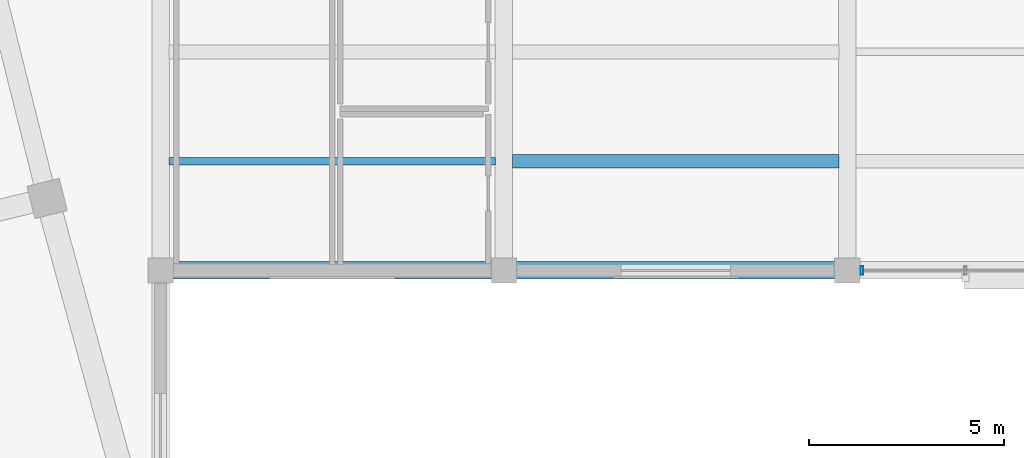
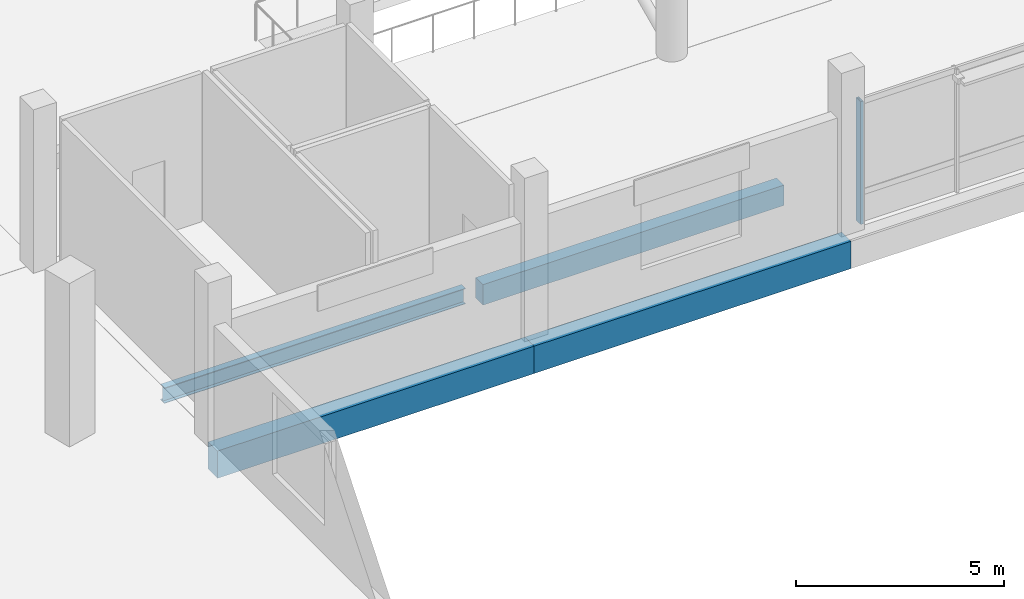
# One storey, part 24 of 71: 4 beams, 1 member, 1 element without a shape of its own.
"""IFC4 building model written with IfcOpenShell, lengths in metres."""

from ifc_helpers import new_model, si_unit, direction, frame, origin, origin_2d, place, context, subcontext, project, spatial, rectangle, hollow_rectangle, i_section, extrude, material, layer, layer_set, material_profile, profile_set, type_object, element, aggregate, save


model = new_model("IFC4")

# Units and contexts
model_context = context("Model", 3, precision=1e-05, world=origin(), true_north=direction((0.0, 1.0)))
body_context = subcontext(model_context, "Body", "Model", "MODEL_VIEW")
ifc_project = project(units=[si_unit("LENGTHUNIT", "METRE"), si_unit("AREAUNIT", "SQUARE_METRE"), si_unit("VOLUMEUNIT", "CUBIC_METRE"), si_unit("PLANEANGLEUNIT", "RADIAN"), si_unit("MASSUNIT", "GRAM", prefix="KILO")], contexts=[model_context])

# Site, building, storey
site_placement = place(None, origin())
site = spatial("IfcSite", under=ifc_project, at=site_placement, CompositionType="ELEMENT")
building_placement = place(site_placement, origin())
building = spatial("IfcBuilding", under=site, at=building_placement, Name="Meriwether Solvik Hall", CompositionType="ELEMENT")
storey_placement = place(building_placement, frame((0.0, 0.0, 5.10009765625)))
storey = spatial("IfcBuildingStorey", under=building, at=storey_placement, Name="L01", CompositionType="ELEMENT", Elevation=5.10009765625)

# Beams
ifc_material_1 = material(Name="Concrete C40/50", Category="concrete")
ifc_material_profile_1 = material_profile(ifc_material_1, rectangle(XDim=0.35009765625, YDim=0.60009765625, at=origin_2d()), Name="RCB-350X600")
ifc_profile_set_1 = profile_set([ifc_material_profile_1], Name="Concrete C40/50")
beam_type_1 = type_object("IfcBeamType", Name="BM-RC-350X600", PredefinedType="JOIST", material=ifc_profile_set_1)
beam_1_placement = place(storey_placement, frame((123.219970703125, 52.800048828125, -0.60009765625), z_axis=(1.0, 0.0, 0.0), x_axis=(0.0, 1.0, 0.0)))
element("IfcBeam", 1, at=beam_1_placement, inside=storey, type_object=beam_type_1, Name="Secondary Floor Joist 14/F_J1 (L01)", PredefinedType="JOIST", context=body_context, shape_type="SweptSolid", body=[
    extrude(rectangle(XDim=0.35009765625, YDim=0.60009765625, at=origin_2d()), origin(), (0.0, 0.0, 1.0), 8.360107421875),
])
ifc_material_2 = material(Name="Concrete C40/50", Category="concrete")
ifc_material_profile_2 = material_profile(ifc_material_2, rectangle(XDim=0.449951171875, YDim=0.800048828125, at=origin_2d()), Name="RCB-450X800")
ifc_profile_set_2 = profile_set([ifc_material_profile_2], Name="Concrete C40/50")
beam_type_2 = type_object("IfcBeamType", Name="BM-RC-450X800", PredefinedType="BEAM", material=ifc_profile_set_2)
for number, where, z_axis, x_axis, name in (
    (2, (114.199951171875, 50.0, -0.7001953125), (1.0, 0.0, 0.0), (0.0, 1.0, 0.0), "Podium Girder F:13-14 (L01)"),
    (3, (123.0, 50.0, -0.7001953125), (1.0, 0.0, 0.0), (0.0, 1.0, 0.0), "Podium Girder F:14-15 (L01)"),
):
    element("IfcBeam", number, at=place(storey_placement, frame(where, z_axis=z_axis, x_axis=x_axis)), inside=storey, type_object=beam_type_2, Name=name, PredefinedType="BEAM", context=body_context, shape_type="SweptSolid", body=[
        extrude(rectangle(XDim=0.449951171875, YDim=0.800048828125, at=origin_2d()), origin(), (0.0, 0.0, 1.0), 8.800048828125),
    ])
ifc_material_3 = material(Name="Steel A992 Grade 50", Category="steel")
ifc_material_profile_3 = material_profile(ifc_material_3, i_section(OverallWidth=0.19091796875, OverallDepth=0.45703125, WebThickness=0.009033203125, FlangeThickness=0.014404296875, at=origin_2d()), Name="W18X50")
ifc_profile_set_3 = profile_set([ifc_material_profile_3], Name="Steel A992 Grade 50")
beam_type_3 = type_object("IfcBeamType", Name="BM-STL-W18X50", PredefinedType="JOIST", material=ifc_profile_set_3)
beam_2_placement = place(storey_placement, frame((114.419921875, 52.800048828125, -0.528564453125), z_axis=(1.0, 0.0, 0.0), x_axis=(0.0, 1.0, 0.0)))
element("IfcBeam", 4, at=beam_2_placement, inside=storey, type_object=beam_type_3, Name="Secondary Floor Joist 13/F_J1 (L01)", PredefinedType="JOIST", context=body_context, shape_type="SweptSolid", body=[
    extrude(i_section(OverallWidth=0.19091796875, OverallDepth=0.45703125, WebThickness=0.009033203125, FlangeThickness=0.014404296875, at=origin_2d()), origin(), (0.0, 0.0, 1.0), 8.360107421875),
])

# Curtain wall, member
ifc_material_4 = material(Name="Thermally Broken Anodised Aluminium 6063-T6 and Low-E Glass", Category="aluminium")
ifc_layer = layer(ifc_material_4, 0.179931640625)
ifc_layer_set = layer_set([ifc_layer], Name="Thermally Broken Anodised Aluminium 6063-T6 and Low-E Glass")
curtain_wall_type = type_object("IfcCurtainWallType", Name="CW-SF-POD-B", PredefinedType="USERDEFINED", material=ifc_layer_set)
curtain_wall_placement = place(storey_placement, origin())
curtain_wall = element("IfcCurtainWall", 5, at=curtain_wall_placement, inside=storey, type_object=curtain_wall_type, Name="Curtain Wall wing_XF_15_14 (L01)", ObjectType="STICK STOREFRONT GLAZING", PredefinedType="USERDEFINED")
ifc_material_5 = material(Name="Anodised Aluminium 6063-T6", Category="aluminium")
ifc_material_profile_4 = material_profile(ifc_material_5, hollow_rectangle(XDim=0.074951171875, YDim=0.219970703125, WallThickness=0.005615234375, at=origin_2d()), Name="CWM-75X220")
ifc_profile_set_4 = profile_set([ifc_material_profile_4], Name="Anodised Aluminium 6063-T6")
member_type = type_object("IfcMemberType", Name="CW-MUL-75X220", PredefinedType="MULLION", material=ifc_profile_set_4)
member_placement = place(storey_placement, frame((132.175048828125, 50.0, 0.0), z_axis=(0.0, 0.0, 1.0), x_axis=(-1.0, 0.0, 0.0)))
member = element("IfcMember", 6, at=member_placement, type_object=member_type, Name="Curtain Wall Mullion 4", PredefinedType="MULLION", context=body_context, shape_type="SweptSolid", body=[
    extrude(hollow_rectangle(XDim=0.074951171875, YDim=0.219970703125, WallThickness=0.005615234375, at=origin_2d()), origin(), (0.0, 0.0, 1.0), 3.60986328125),
])
aggregate(curtain_wall, [member])

save(model, "model.ifc")
